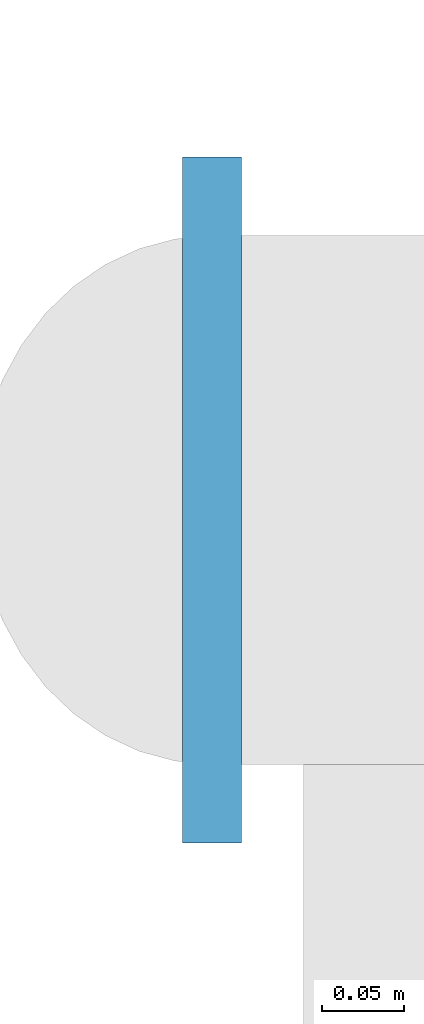
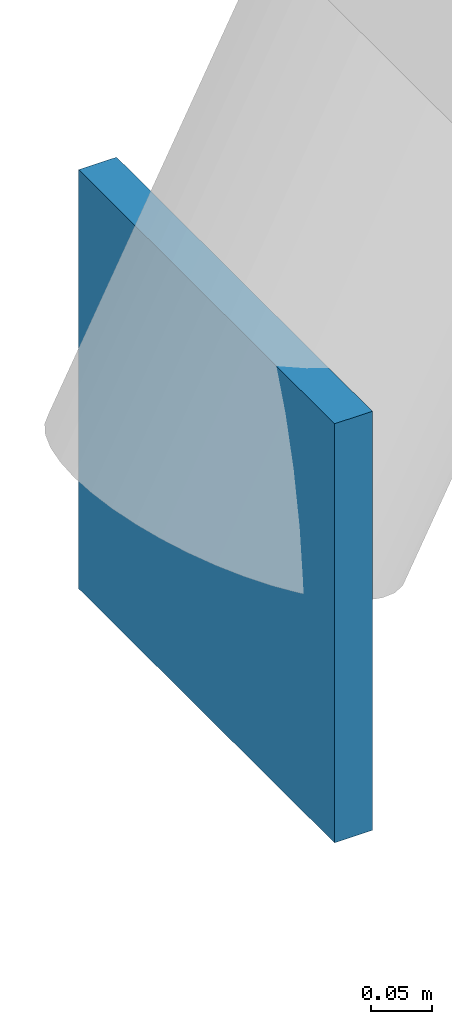
# One storey, part 97 of 114: 1 plate.
"""IFC4 building model written with IfcOpenShell, lengths in metres."""

from ifc_helpers import new_model, si_unit, direction, frame, origin, origin_2d, place, context, subcontext, project, spatial, rectangle, extrude, material, layer, layer_set, type_object, element, save


model = new_model("IFC4")

# Units and contexts
model_context = context("Model", 3, precision=1e-05, world=origin(), true_north=direction((0.0, 1.0)))
body_context = subcontext(model_context, "Body", "Model", "MODEL_VIEW")
ifc_project = project(units=[si_unit("LENGTHUNIT", "METRE"), si_unit("AREAUNIT", "SQUARE_METRE"), si_unit("VOLUMEUNIT", "CUBIC_METRE"), si_unit("PLANEANGLEUNIT", "RADIAN"), si_unit("MASSUNIT", "GRAM", prefix="KILO")], contexts=[model_context])

# Site, building, storey
site_placement = place(None, origin())
site = spatial("IfcSite", under=ifc_project, at=site_placement, CompositionType="ELEMENT")
building_placement = place(site_placement, origin())
building = spatial("IfcBuilding", under=site, at=building_placement, Name="Xazarin Passage Department Store", CompositionType="ELEMENT")
storey_placement = place(building_placement, frame((0.0, 0.0, 14.39990234375)))
storey = spatial("IfcBuildingStorey", under=building, at=storey_placement, Name="L03", CompositionType="ELEMENT", Elevation=14.39990234375)

# Plate
ifc_material = material(Name="Steel S355", Category="steel")
ifc_layer = layer(ifc_material, 0.02001953125)
ifc_layer_set = layer_set([ifc_layer], Name="Steel S355")
plate_type = type_object("IfcPlateType", Name="STR-PLT-CAP20", PredefinedType="USERDEFINED", material=ifc_layer_set)
plate_placement = place(storey_placement, frame((8.39990234375, 50.39990234375, -0.2099609375), z_axis=(0.0, 0.0, 1.0), x_axis=(1.0, 0.0, 0.0)))
element("IfcPlate", 1, at=plate_placement, inside=storey, type_object=plate_type, Name="L03 V3 Shell Arch Rib End Cap 1.3.W", ObjectType="GUSSET PLATE", PredefinedType="USERDEFINED", context=body_context, shape_type="SweptSolid", body=[
    extrude(rectangle(XDim=0.035888671875, YDim=0.419921875, at=origin_2d()), origin(), (0.0, 0.0, 1.0), 0.419921875),
])

save(model, "model.ifc")
